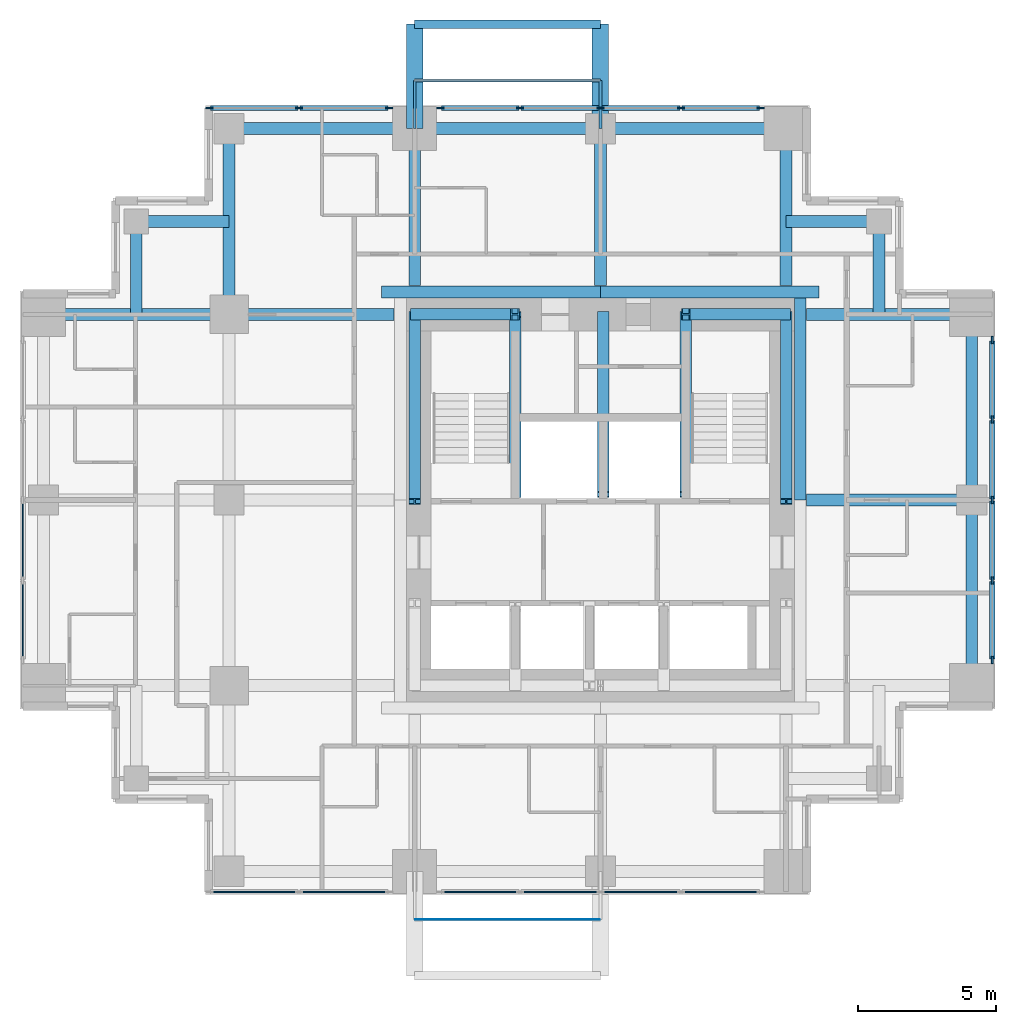
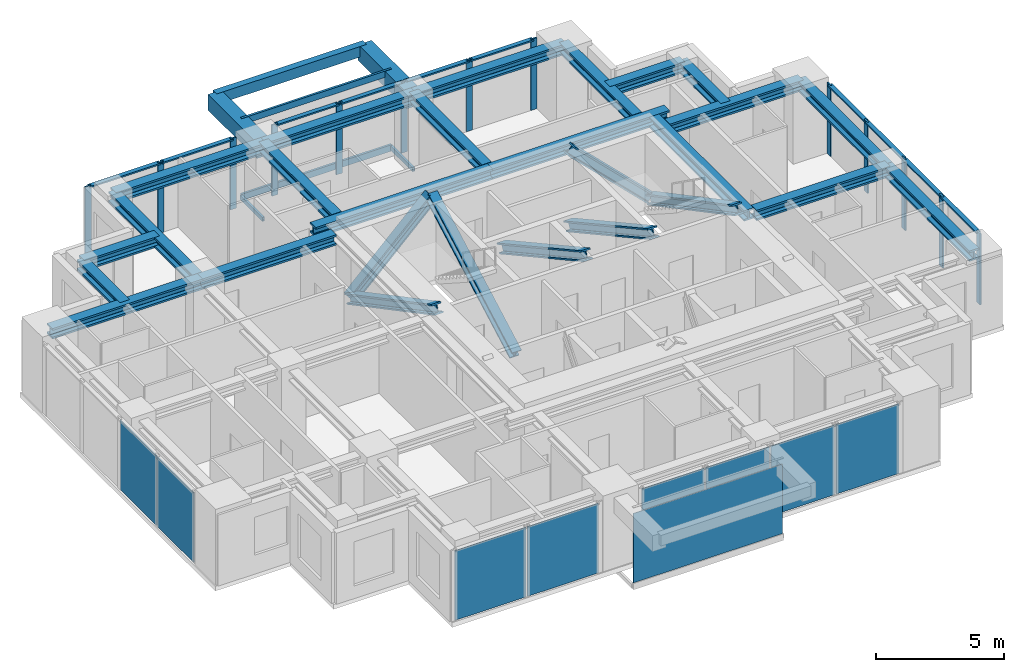
# One storey, part 2 of 8: 34 members, 23 beams, 9 plates, 6 elements without a shape of their own.
"""IFC4 building model written with IfcOpenShell, lengths in metres."""

from ifc_helpers import new_model, si_unit, direction, frame, origin, origin_2d, place, context, subcontext, project, spatial, rectangle, hollow_rectangle, i_section, extrude, material, layer, layer_set, material_profile, profile_set, type_object, element, aggregate, save


model = new_model("IFC4")

# Units and contexts
model_context = context("Model", 3, precision=1e-05, world=origin(), true_north=direction((0.0, 1.0)))
body_context = subcontext(model_context, "Body", "Model", "MODEL_VIEW")
ifc_project = project(units=[si_unit("LENGTHUNIT", "METRE"), si_unit("AREAUNIT", "SQUARE_METRE"), si_unit("VOLUMEUNIT", "CUBIC_METRE"), si_unit("PLANEANGLEUNIT", "RADIAN"), si_unit("MASSUNIT", "GRAM", prefix="KILO")], contexts=[model_context])

# Site, building, storey
site_placement = place(None, origin())
site = spatial("IfcSite", under=ifc_project, at=site_placement, CompositionType="ELEMENT")
building_placement = place(site_placement, origin())
building = spatial("IfcBuilding", under=site, at=building_placement, Name="Nyansa Garden Tower", CompositionType="ELEMENT")
storey_placement = place(building_placement, frame((0.0, 0.0, 207.89990234375)))
storey = spatial("IfcBuildingStorey", under=building, at=storey_placement, Name="L56", CompositionType="ELEMENT", Elevation=207.89990234375)

# Beams
ifc_material_1 = material(Name="Concrete C70/85", Category="concrete")
ifc_material_profile_1 = material_profile(ifc_material_1, rectangle(XDim=0.60009765625, YDim=0.75, at=origin_2d()), Name="RC 600x750")
ifc_profile_set_1 = profile_set([ifc_material_profile_1], Name="Concrete C70/85")
beam_type_1 = type_object("IfcBeamType", Name="Balcony cantilever beam CB1 RC 600x750", PredefinedType="BEAM", material=ifc_profile_set_1)
for number, where, z_axis, x_axis, name in (
    (1, (13.5, 33.75, 2.985107421875), (0.0, 1.0, 0.0), (-1.0, 0.0, 0.0), "Balcony cantilever beam L57"),
    (2, (20.25, 33.75, 2.985107421875), (0.0, 1.0, 0.0), (-1.0, 0.0, 0.0), "Balcony cantilever beam L57"),
):
    element("IfcBeam", number, at=place(storey_placement, frame(where, z_axis=z_axis, x_axis=x_axis)), inside=storey, type_object=beam_type_1, Name=name, PredefinedType="BEAM", context=body_context, shape_type="SweptSolid", body=[
        extrude(rectangle(XDim=0.60009765625, YDim=0.75, at=origin_2d()), origin(), (0.0, 0.0, 1.0), 3.800048828125),
    ])
ifc_material_2 = material(Name="Concrete C70/85", Category="concrete")
ifc_material_profile_2 = material_profile(ifc_material_2, rectangle(XDim=0.300048828125, YDim=0.5, at=origin_2d()), Name="RC 300x500")
ifc_profile_set_2 = profile_set([ifc_material_profile_2], Name="Concrete C70/85")
beam_type_2 = type_object("IfcBeamType", Name="Balcony edge beam BE1 RC 300x500", PredefinedType="BEAM", material=ifc_profile_set_2)
beam_1_placement = place(storey_placement, frame((13.5, 37.550048828125, 3.110107421875), z_axis=(1.0, 0.0, 0.0), x_axis=(0.0, 1.0, 0.0)))
element("IfcBeam", 3, at=beam_1_placement, inside=storey, type_object=beam_type_2, Name="Balcony edge beam L57", PredefinedType="BEAM", context=body_context, shape_type="SweptSolid", body=[
    extrude(rectangle(XDim=0.300048828125, YDim=0.5, at=origin_2d()), origin(), (0.0, 0.0, 1.0), 6.75),
])

# Curtain wall, members
ifc_material_3 = material(Name="Black anodised aluminium, dark tinted double glazing", Category="aluminium")
curtain_wall_type = type_object("IfcCurtainWallType", Name="Inner skin curtain wall ISW-D", PredefinedType="USERDEFINED", material=ifc_material_3)
curtain_wall_1_placement = place(storey_placement, origin())
curtain_wall_1 = element("IfcCurtainWall", 4, at=curtain_wall_1_placement, inside=storey, type_object=curtain_wall_type, Name="Inner skin curtain wall L56 E", ObjectType="UNITISED CURTAIN WALL", PredefinedType="USERDEFINED")
ifc_material_4 = material(Name="Black anodised aluminium", Category="aluminium")
ifc_material_profile_3 = material_profile(ifc_material_4, rectangle(XDim=0.070068359375, YDim=0.27490234375, at=origin_2d()), Name="Mullion 275x70")
ifc_profile_set_3 = profile_set([ifc_material_profile_3], Name="Black anodised aluminium")
member_type_1 = type_object("IfcMemberType", Name="Mullion ISW-D 275x70", PredefinedType="MULLION", material=ifc_profile_set_3)
member_1_placement = place(storey_placement, frame((34.5, 14.4375, 0.0), z_axis=(0.0, 0.0, 1.0), x_axis=(-1.0, 0.0, 0.0)))
member_1 = element("IfcMember", 5, at=member_1_placement, type_object=member_type_1, Name="ISW-D mullion 1", PredefinedType="MULLION", context=body_context, shape_type="SweptSolid", body=[
    extrude(rectangle(XDim=0.070068359375, YDim=0.27490234375, at=origin_2d()), origin(), (0.0, 0.0, 1.0), 3.375),
])
member_2_placement = place(storey_placement, frame((34.5, 17.326171875, 0.0), z_axis=(0.0, 0.0, 1.0), x_axis=(-1.0, 0.0, 0.0)))
member_2 = element("IfcMember", 6, at=member_2_placement, type_object=member_type_1, Name="ISW-D mullion 2", PredefinedType="MULLION", context=body_context, shape_type="SweptSolid", body=[
    extrude(rectangle(XDim=0.070068359375, YDim=0.27490234375, at=origin_2d()), origin(), (0.0, 0.0, 1.0), 3.375),
])
member_3_placement = place(storey_placement, frame((34.5, 20.25, 0.0), z_axis=(0.0, 0.0, 1.0), x_axis=(-1.0, 0.0, 0.0)))
member_3 = element("IfcMember", 7, at=member_3_placement, type_object=member_type_1, Name="ISW-D mullion 3", PredefinedType="MULLION", context=body_context, shape_type="SweptSolid", body=[
    extrude(rectangle(XDim=0.070068359375, YDim=0.27490234375, at=origin_2d()), origin(), (0.0, 0.0, 1.0), 3.375),
])
member_4_placement = place(storey_placement, frame((34.5, 23.173828125, 0.0), z_axis=(0.0, 0.0, 1.0), x_axis=(-1.0, 0.0, 0.0)))
member_4 = element("IfcMember", 8, at=member_4_placement, type_object=member_type_1, Name="ISW-D mullion 4", PredefinedType="MULLION", context=body_context, shape_type="SweptSolid", body=[
    extrude(rectangle(XDim=0.070068359375, YDim=0.27490234375, at=origin_2d()), origin(), (0.0, 0.0, 1.0), 3.375),
])
member_5_placement = place(storey_placement, frame((34.5, 26.0625, 0.0), z_axis=(0.0, 0.0, 1.0), x_axis=(-1.0, 0.0, 0.0)))
member_5 = element("IfcMember", 9, at=member_5_placement, type_object=member_type_1, Name="ISW-D mullion 5", PredefinedType="MULLION", context=body_context, shape_type="SweptSolid", body=[
    extrude(rectangle(XDim=0.070068359375, YDim=0.27490234375, at=origin_2d()), origin(), (0.0, 0.0, 1.0), 3.375),
])

curtain_wall_2_placement = place(storey_placement, origin())
curtain_wall_2 = element("IfcCurtainWall", 10, at=curtain_wall_2_placement, inside=storey, type_object=curtain_wall_type, Name="Inner skin curtain wall L56 N", ObjectType="UNITISED CURTAIN WALL", PredefinedType="USERDEFINED")
member_6_placement = place(storey_placement, frame((26.0625, 34.5, 0.0), z_axis=(0.0, 0.0, 1.0), x_axis=(0.0, -1.0, 0.0)))
member_6 = element("IfcMember", 11, at=member_6_placement, type_object=member_type_1, Name="ISW-D mullion 1", PredefinedType="MULLION", context=body_context, shape_type="SweptSolid", body=[
    extrude(rectangle(XDim=0.070068359375, YDim=0.27490234375, at=origin_2d()), origin(), (0.0, 0.0, 1.0), 3.375),
])
member_7_placement = place(storey_placement, frame((23.173828125, 34.5, 0.0), z_axis=(0.0, 0.0, 1.0), x_axis=(0.0, -1.0, 0.0)))
member_7 = element("IfcMember", 12, at=member_7_placement, type_object=member_type_1, Name="ISW-D mullion 2", PredefinedType="MULLION", context=body_context, shape_type="SweptSolid", body=[
    extrude(rectangle(XDim=0.070068359375, YDim=0.27490234375, at=origin_2d()), origin(), (0.0, 0.0, 1.0), 3.375),
])
member_8_placement = place(storey_placement, frame((20.25, 34.5, 0.0), z_axis=(0.0, 0.0, 1.0), x_axis=(0.0, -1.0, 0.0)))
member_8 = element("IfcMember", 13, at=member_8_placement, type_object=member_type_1, Name="ISW-D mullion 3", PredefinedType="MULLION", context=body_context, shape_type="SweptSolid", body=[
    extrude(rectangle(XDim=0.070068359375, YDim=0.27490234375, at=origin_2d()), origin(), (0.0, 0.0, 1.0), 3.375),
])
member_9_placement = place(storey_placement, frame((17.326171875, 34.5, 0.0), z_axis=(0.0, 0.0, 1.0), x_axis=(0.0, -1.0, 0.0)))
member_9 = element("IfcMember", 14, at=member_9_placement, type_object=member_type_1, Name="ISW-D mullion 4", PredefinedType="MULLION", context=body_context, shape_type="SweptSolid", body=[
    extrude(rectangle(XDim=0.070068359375, YDim=0.27490234375, at=origin_2d()), origin(), (0.0, 0.0, 1.0), 3.375),
])
member_10_placement = place(storey_placement, frame((14.4375, 34.5, 0.0), z_axis=(0.0, 0.0, 1.0), x_axis=(0.0, -1.0, 0.0)))
member_10 = element("IfcMember", 15, at=member_10_placement, type_object=member_type_1, Name="ISW-D mullion 5", PredefinedType="MULLION", context=body_context, shape_type="SweptSolid", body=[
    extrude(rectangle(XDim=0.070068359375, YDim=0.27490234375, at=origin_2d()), origin(), (0.0, 0.0, 1.0), 3.375),
])

curtain_wall_3_placement = place(storey_placement, origin())
curtain_wall_3 = element("IfcCurtainWall", 16, at=curtain_wall_3_placement, inside=storey, type_object=curtain_wall_type, Name="Inner skin curtain wall L56 N", ObjectType="UNITISED CURTAIN WALL", PredefinedType="USERDEFINED")
member_11_placement = place(storey_placement, frame((12.5625, 34.5, 0.0), z_axis=(0.0, 0.0, 1.0), x_axis=(0.0, -1.0, 0.0)))
member_11 = element("IfcMember", 17, at=member_11_placement, type_object=member_type_1, Name="ISW-D mullion 1", PredefinedType="MULLION", context=body_context, shape_type="SweptSolid", body=[
    extrude(rectangle(XDim=0.070068359375, YDim=0.27490234375, at=origin_2d()), origin(), (0.0, 0.0, 1.0), 3.375),
])
member_12_placement = place(storey_placement, frame((9.298828125, 34.5, 0.0), z_axis=(0.0, 0.0, 1.0), x_axis=(0.0, -1.0, 0.0)))
member_12 = element("IfcMember", 18, at=member_12_placement, type_object=member_type_1, Name="ISW-D mullion 2", PredefinedType="MULLION", context=body_context, shape_type="SweptSolid", body=[
    extrude(rectangle(XDim=0.070068359375, YDim=0.27490234375, at=origin_2d()), origin(), (0.0, 0.0, 1.0), 3.375),
])
member_13_placement = place(storey_placement, frame((6.034912109375, 34.5, 0.0), z_axis=(0.0, 0.0, 1.0), x_axis=(0.0, -1.0, 0.0)))
member_13 = element("IfcMember", 19, at=member_13_placement, type_object=member_type_1, Name="ISW-D mullion 3", PredefinedType="MULLION", context=body_context, shape_type="SweptSolid", body=[
    extrude(rectangle(XDim=0.070068359375, YDim=0.27490234375, at=origin_2d()), origin(), (0.0, 0.0, 1.0), 3.375),
])

# Members
ifc_material_5 = material(Name="Steel S355, black powder coated", Category="steel")
ifc_material_profile_4 = material_profile(ifc_material_5, hollow_rectangle(XDim=0.10009765625, YDim=0.199951171875, WallThickness=0.008056640625, at=origin_2d()), Name="RHS 200x100x8")
ifc_profile_set_4 = profile_set([ifc_material_profile_4], Name="Steel S355, black powder coated")
member_type_2 = type_object("IfcMemberType", Name="Outer skin bracket arm RHS 200x100x8", PredefinedType="USERDEFINED", material=ifc_profile_set_4)
for number, where, z_axis, x_axis, name in (
    (20, (13.5, 33.75, -0.375), (0.0, 1.0, 0.0), (-1.0, 0.0, 0.0), "Outer skin bracket arm"),
    (21, (20.25, 33.75, -0.375), (0.0, 1.0, 0.0), (-1.0, 0.0, 0.0), "Outer skin bracket arm"),
):
    element("IfcMember", number, at=place(storey_placement, frame(where, z_axis=z_axis, x_axis=x_axis)), inside=storey, type_object=member_type_2, Name=name, ObjectType="OUTER SKIN BRACKET", PredefinedType="USERDEFINED", context=body_context, shape_type="SweptSolid", body=[
        extrude(hollow_rectangle(XDim=0.10009765625, YDim=0.199951171875, WallThickness=0.008056640625, at=origin_2d()), origin(), (0.0, 0.0, 1.0), 1.75),
    ])
ifc_material_6 = material(Name="Steel S355, black powder coated", Category="steel")
ifc_material_profile_5 = material_profile(ifc_material_6, hollow_rectangle(XDim=0.10009765625, YDim=0.300048828125, WallThickness=0.010009765625, at=origin_2d()), Name="RHS 300x100x10")
ifc_profile_set_5 = profile_set([ifc_material_profile_5], Name="Steel S355, black powder coated")
member_type_3 = type_object("IfcMemberType", Name="Outer skin rail RHS 300x100x10", PredefinedType="USERDEFINED", material=ifc_profile_set_5)
for number, where, z_axis, x_axis, name in (
    (22, (13.5, 35.5, -0.375), (1.0, 0.0, 0.0), (0.0, 1.0, 0.0), "Outer skin rail L56"),
    (23, (13.5, 35.5, 3.22509765625), (1.0, 0.0, 0.0), (0.0, 1.0, 0.0), "Outer skin rail L56 head"),
):
    element("IfcMember", number, at=place(storey_placement, frame(where, z_axis=z_axis, x_axis=x_axis)), inside=storey, type_object=member_type_3, Name=name, ObjectType="OUTER SKIN RAIL", PredefinedType="USERDEFINED", context=body_context, shape_type="SweptSolid", body=[
        extrude(hollow_rectangle(XDim=0.10009765625, YDim=0.300048828125, WallThickness=0.010009765625, at=origin_2d()), origin(), (0.0, 0.0, 1.0), 6.75),
    ])
ifc_material_7 = material(Name="Steel S355", Category="steel")
ifc_material_profile_6 = material_profile(ifc_material_7, i_section(OverallWidth=0.41796875, OverallDepth=0.455078125, WebThickness=0.0419921875, FlangeThickness=0.067626953125, FilletRadius=0.014892578125, at=origin_2d()), Name="HD 400x463")
ifc_profile_set_6 = profile_set([ifc_material_profile_6], Name="Steel S355")
member_type_4 = type_object("IfcMemberType", Name="Perimeter brace heavy HD 400x463", PredefinedType="BRACE", material=ifc_profile_set_6)
for number, where, z_axis, x_axis, name in (
    (24, (13.5, 27.0, 0.0), (0.711947531702, 0.0, 0.702232662373), (0.0, 1.0, 0.0), "Core brace CN3 L56"),
    (25, (27.0, 27.0, 0.0), (-0.711947531702, 0.0, 0.702232662373), (0.0, -1.0, 0.0), "Core brace CN4 L56"),
):
    element("IfcMember", number, at=place(storey_placement, frame(where, z_axis=z_axis, x_axis=x_axis)), inside=storey, type_object=member_type_4, Name=name, PredefinedType="BRACE", context=body_context, shape_type="SweptSolid", body=[
        extrude(i_section(OverallWidth=0.41796875, OverallDepth=0.455078125, WebThickness=0.0419921875, FlangeThickness=0.067626953125, FilletRadius=0.014892578125, at=origin_2d()), origin(), (0.0, 0.0, 1.0), 5.126708984375),
    ])
for number, where, z_axis, x_axis, name in (
    (26, (13.5, 27.0, 0.0), (0.0, -0.883784057226, 0.467895009796), (1.0, 0.0, 0.0), "Core brace CW6 L56"),
    (27, (27.0, 27.0, 0.0), (0.0, -0.883784057226, 0.467895009796), (1.0, 0.0, 0.0), "Core brace CE8 L56"),
):
    element("IfcMember", number, at=place(storey_placement, frame(where, z_axis=z_axis, x_axis=x_axis)), inside=storey, type_object=member_type_4, Name=name, PredefinedType="BRACE", context=body_context, shape_type="SweptSolid", body=[
        extrude(i_section(OverallWidth=0.41796875, OverallDepth=0.455078125, WebThickness=0.0419921875, FlangeThickness=0.067626953125, FilletRadius=0.014892578125, at=origin_2d()), origin(), (0.0, 0.0, 1.0), 7.6943359375),
    ])
for number, where, z_axis, x_axis, name in (
    (28, (17.14990234375, 20.449951171875, 0.0), (0.0, 0.876353113771, 0.481669201822), (-1.0, 0.0, 0.0), "Core brace CWS9 L56"),
    (29, (23.35009765625, 27.0, 0.0), (0.0, -0.876353113771, 0.481669201822), (1.0, 0.0, 0.0), "Core brace CES10 L56"),
    (30, (20.35009765625, 27.0, 0.0), (0.0, -0.876353113771, 0.481669201822), (1.0, 0.0, 0.0), "Core brace CNW14 L56"),
):
    element("IfcMember", number, at=place(storey_placement, frame(where, z_axis=z_axis, x_axis=x_axis)), inside=storey, type_object=member_type_4, Name=name, PredefinedType="BRACE", context=body_context, shape_type="SweptSolid", body=[
        extrude(i_section(OverallWidth=0.41796875, OverallDepth=0.455078125, WebThickness=0.0419921875, FlangeThickness=0.067626953125, FilletRadius=0.014892578125, at=origin_2d()), origin(), (0.0, 0.0, 1.0), 7.47412109375),
    ])

# Beams
ifc_material_8 = material(Name="Steel S355", Category="steel")
ifc_material_profile_7 = material_profile(ifc_material_8, i_section(OverallWidth=0.431884765625, OverallDepth=0.498046875, WebThickness=0.0556640625, FlangeThickness=0.0888671875, FilletRadius=0.014892578125, at=origin_2d()), Name="HD 400x744")
ifc_profile_set_7 = profile_set([ifc_material_profile_7], Name="Steel S355")
beam_type_3 = type_object("IfcBeamType", Name="Steel beam SBD1-744 HD 400x744", PredefinedType="BEAM", material=ifc_profile_set_7)
for number, where, z_axis, x_axis, name in (
    (31, (0.0, 27.0, 3.1259765625), (1.0, 0.0, 0.0), (0.0, 1.0, 0.0), "Steel beam 2/H-3/H L57"),
    (32, (6.75, 27.0, 3.1259765625), (0.0, 1.0, 0.0), (-1.0, 0.0, 0.0), "Steel beam 3/H-3/J L57"),
):
    element("IfcBeam", number, at=place(storey_placement, frame(where, z_axis=z_axis, x_axis=x_axis)), inside=storey, type_object=beam_type_3, Name=name, PredefinedType="BEAM", context=body_context, shape_type="SweptSolid", body=[
        extrude(i_section(OverallWidth=0.431884765625, OverallDepth=0.498046875, WebThickness=0.0556640625, FlangeThickness=0.0888671875, FilletRadius=0.014892578125, at=origin_2d()), origin(), (0.0, 0.0, 1.0), 6.75),
    ])
beam_2_placement = place(storey_placement, frame((6.75, 27.0, 3.1259765625), z_axis=(1.0, 0.0, 0.0), x_axis=(0.0, 1.0, 0.0)))
element("IfcBeam", 33, at=beam_2_placement, inside=storey, type_object=beam_type_3, Name="Steel beam 3/H-12.750/H L57", PredefinedType="BEAM", context=body_context, shape_type="SweptSolid", body=[
    extrude(i_section(OverallWidth=0.431884765625, OverallDepth=0.498046875, WebThickness=0.0556640625, FlangeThickness=0.0888671875, FilletRadius=0.014892578125, at=origin_2d()), origin(), (0.0, 0.0, 1.0), 6.0),
])
for number, where, z_axis, x_axis, name in (
    (34, (13.5, 28.050048828125, 3.1259765625), (0.0, 1.0, 0.0), (-1.0, 0.0, 0.0), "Steel beam 4/28.050-4/J L57"),
    (35, (20.25, 28.050048828125, 3.1259765625), (0.0, 1.0, 0.0), (-1.0, 0.0, 0.0), "Steel beam 5/28.050-5/J L57"),
):
    element("IfcBeam", number, at=place(storey_placement, frame(where, z_axis=z_axis, x_axis=x_axis)), inside=storey, type_object=beam_type_3, Name=name, PredefinedType="BEAM", context=body_context, shape_type="SweptSolid", body=[
        extrude(i_section(OverallWidth=0.431884765625, OverallDepth=0.498046875, WebThickness=0.0556640625, FlangeThickness=0.0888671875, FilletRadius=0.014892578125, at=origin_2d()), origin(), (0.0, 0.0, 1.0), 5.699951171875),
    ])
beam_3_placement = place(storey_placement, frame((27.75, 20.25, 3.1259765625), z_axis=(1.0, 0.0, 0.0), x_axis=(0.0, 1.0, 0.0)))
element("IfcBeam", 36, at=beam_3_placement, inside=storey, type_object=beam_type_3, Name="Steel beam 27.750/G-7/G L57", PredefinedType="BEAM", context=body_context, shape_type="SweptSolid", body=[
    extrude(i_section(OverallWidth=0.431884765625, OverallDepth=0.498046875, WebThickness=0.0556640625, FlangeThickness=0.0888671875, FilletRadius=0.014892578125, at=origin_2d()), origin(), (0.0, 0.0, 1.0), 6.0),
])
beam_4_placement = place(storey_placement, frame((27.0, 28.050048828125, 3.1259765625), z_axis=(0.0, 1.0, 0.0), x_axis=(-1.0, 0.0, 0.0)))
element("IfcBeam", 37, at=beam_4_placement, inside=storey, type_object=beam_type_3, Name="Steel beam 6/28.050-6/J L57", PredefinedType="BEAM", context=body_context, shape_type="SweptSolid", body=[
    extrude(i_section(OverallWidth=0.431884765625, OverallDepth=0.498046875, WebThickness=0.0556640625, FlangeThickness=0.0888671875, FilletRadius=0.014892578125, at=origin_2d()), origin(), (0.0, 0.0, 1.0), 5.699951171875),
])
beam_5_placement = place(storey_placement, frame((27.75, 27.0, 3.1259765625), z_axis=(1.0, 0.0, 0.0), x_axis=(0.0, 1.0, 0.0)))
element("IfcBeam", 38, at=beam_5_placement, inside=storey, type_object=beam_type_3, Name="Steel beam 27.750/H-7/H L57", PredefinedType="BEAM", context=body_context, shape_type="SweptSolid", body=[
    extrude(i_section(OverallWidth=0.431884765625, OverallDepth=0.498046875, WebThickness=0.0556640625, FlangeThickness=0.0888671875, FilletRadius=0.014892578125, at=origin_2d()), origin(), (0.0, 0.0, 1.0), 6.0),
])
ifc_material_9 = material(Name="Steel S355", Category="steel")
ifc_material_profile_8 = material_profile(ifc_material_9, i_section(OverallWidth=0.431884765625, OverallDepth=0.498046875, WebThickness=0.0556640625, FlangeThickness=0.0888671875, FilletRadius=0.014892578125, at=origin_2d()), Name="HD 400x744")
ifc_profile_set_8 = profile_set([ifc_material_profile_8], Name="Steel S355")
beam_type_4 = type_object("IfcBeamType", Name="Steel beam SEBD-744 HD 400x744", PredefinedType="BEAM", material=ifc_profile_set_8)
for number, where, z_axis, x_axis, name in (
    (39, (6.75, 33.75, 3.1259765625), (1.0, 0.0, 0.0), (0.0, 1.0, 0.0), "Steel edge beam 3/J-4/J L57"),
    (40, (13.5, 33.75, 3.1259765625), (1.0, 0.0, 0.0), (0.0, 1.0, 0.0), "Steel edge beam 4/J-5/J L57"),
    (41, (20.25, 33.75, 3.1259765625), (1.0, 0.0, 0.0), (0.0, 1.0, 0.0), "Steel edge beam 5/J-6/J L57"),
    (42, (33.75, 13.5, 3.1259765625), (0.0, 1.0, 0.0), (-1.0, 0.0, 0.0), "Steel edge beam 7/F-7/G L57"),
    (43, (33.75, 20.25, 3.1259765625), (0.0, 1.0, 0.0), (-1.0, 0.0, 0.0), "Steel edge beam 7/G-7/H L57"),
):
    element("IfcBeam", number, at=place(storey_placement, frame(where, z_axis=z_axis, x_axis=x_axis)), inside=storey, type_object=beam_type_4, Name=name, PredefinedType="BEAM", context=body_context, shape_type="SweptSolid", body=[
        extrude(i_section(OverallWidth=0.431884765625, OverallDepth=0.498046875, WebThickness=0.0556640625, FlangeThickness=0.0888671875, FilletRadius=0.014892578125, at=origin_2d()), origin(), (0.0, 0.0, 1.0), 6.75),
    ])
ifc_material_10 = material(Name="Steel S355", Category="steel")
ifc_material_profile_9 = material_profile(ifc_material_10, i_section(OverallWidth=0.431884765625, OverallDepth=0.498046875, WebThickness=0.0556640625, FlangeThickness=0.0888671875, FilletRadius=0.014892578125, at=origin_2d()), Name="HD 400x744")
ifc_profile_set_9 = profile_set([ifc_material_profile_9], Name="Steel S355")
beam_type_5 = type_object("IfcBeamType", Name="Steel beam SLB1-744 HD 400x744", PredefinedType="BEAM", material=ifc_profile_set_9)
beam_6_placement = place(storey_placement, frame((27.51611328125, 20.25, 3.1259765625), z_axis=(0.0, 1.0, 0.0), x_axis=(-1.0, 0.0, 0.0)))
element("IfcBeam", 44, at=beam_6_placement, inside=storey, type_object=beam_type_5, Name="Steel core ledger beam E.2 L57", PredefinedType="BEAM", context=body_context, shape_type="SweptSolid", body=[
    extrude(i_section(OverallWidth=0.431884765625, OverallDepth=0.498046875, WebThickness=0.0556640625, FlangeThickness=0.0888671875, FilletRadius=0.014892578125, at=origin_2d()), origin(), (0.0, 0.0, 1.0), 7.35009765625),
])
for number, where, z_axis, x_axis, name in (
    (45, (28.199951171875, 27.81591796875, 3.1259765625), (-1.0, 0.0, 0.0), (0.0, -1.0, 0.0), "Steel core ledger beam N.1 L57"),
    (46, (20.25, 27.81591796875, 3.1259765625), (-1.0, 0.0, 0.0), (0.0, -1.0, 0.0), "Steel core ledger beam N.2 L57"),
):
    element("IfcBeam", number, at=place(storey_placement, frame(where, z_axis=z_axis, x_axis=x_axis)), inside=storey, type_object=beam_type_5, Name=name, PredefinedType="BEAM", context=body_context, shape_type="SweptSolid", body=[
        extrude(i_section(OverallWidth=0.431884765625, OverallDepth=0.498046875, WebThickness=0.0556640625, FlangeThickness=0.0888671875, FilletRadius=0.014892578125, at=origin_2d()), origin(), (0.0, 0.0, 1.0), 7.949951171875),
    ])
ifc_material_11 = material(Name="Steel S355", Category="steel")
ifc_material_profile_10 = material_profile(ifc_material_11, i_section(OverallWidth=0.431884765625, OverallDepth=0.498046875, WebThickness=0.0556640625, FlangeThickness=0.0888671875, FilletRadius=0.014892578125, at=origin_2d()), Name="HD 400x744")
ifc_profile_set_10 = profile_set([ifc_material_profile_10], Name="Steel S355")
beam_type_6 = type_object("IfcBeamType", Name="Steel beam SSB1-744 HD 400x744", PredefinedType="BEAM", material=ifc_profile_set_10)
for number, where, z_axis, x_axis, name in (
    (47, (30.375, 30.375, 3.1259765625), (0.0, -1.0, 0.0), (1.0, 0.0, 0.0), "Steel step beam 30.375/30.375 L57"),
    (48, (30.375, 30.375, 3.1259765625), (-1.0, 0.0, 0.0), (0.0, -1.0, 0.0), "Steel step beam 30.375/30.375 L57"),
    (49, (3.375, 30.375, 3.1259765625), (0.0, -1.0, 0.0), (1.0, 0.0, 0.0), "Steel step beam 3.375/30.375 L57"),
    (50, (3.375, 30.375, 3.1259765625), (1.0, 0.0, 0.0), (0.0, 1.0, 0.0), "Steel step beam 3.375/30.375 L57"),
):
    element("IfcBeam", number, at=place(storey_placement, frame(where, z_axis=z_axis, x_axis=x_axis)), inside=storey, type_object=beam_type_6, Name=name, PredefinedType="BEAM", context=body_context, shape_type="SweptSolid", body=[
        extrude(i_section(OverallWidth=0.431884765625, OverallDepth=0.498046875, WebThickness=0.0556640625, FlangeThickness=0.0888671875, FilletRadius=0.014892578125, at=origin_2d()), origin(), (0.0, 0.0, 1.0), 3.375),
    ])

# Member
ifc_material_12 = material(Name="Black anodised aluminium", Category="aluminium")
ifc_material_profile_11 = material_profile(ifc_material_12, rectangle(XDim=0.195068359375, YDim=0.070068359375, at=origin_2d()), Name="Transom 195x70")
ifc_profile_set_11 = profile_set([ifc_material_profile_11], Name="Black anodised aluminium")
member_type_5 = type_object("IfcMemberType", Name="Transom ISW-D 195x70", PredefinedType="USERDEFINED", material=ifc_profile_set_11)
member_14_placement = place(storey_placement, frame((34.5, 14.472412109375, 3.340087890625), z_axis=(0.0, 1.0, 0.0), x_axis=(-1.0, 0.0, 0.0)))
member_14 = element("IfcMember", 51, at=member_14_placement, type_object=member_type_5, Name="ISW-D transom 1", ObjectType="TRANSOM", PredefinedType="USERDEFINED", context=body_context, shape_type="SweptSolid", body=[
    extrude(rectangle(XDim=0.195068359375, YDim=0.070068359375, at=origin_2d()), origin(), (0.0, 0.0, 1.0), 2.81884765625),
])

member_15_placement = place(storey_placement, frame((34.5, 17.361328125, 3.340087890625), z_axis=(0.0, 1.0, 0.0), x_axis=(-1.0, 0.0, 0.0)))
member_15 = element("IfcMember", 52, at=member_15_placement, type_object=member_type_5, Name="ISW-D transom 2", ObjectType="TRANSOM", PredefinedType="USERDEFINED", context=body_context, shape_type="SweptSolid", body=[
    extrude(rectangle(XDim=0.195068359375, YDim=0.070068359375, at=origin_2d()), origin(), (0.0, 0.0, 1.0), 2.853759765625),
])

member_16_placement = place(storey_placement, frame((34.5, 20.284912109375, 3.340087890625), z_axis=(0.0, 1.0, 0.0), x_axis=(-1.0, 0.0, 0.0)))
member_16 = element("IfcMember", 53, at=member_16_placement, type_object=member_type_5, Name="ISW-D transom 3", ObjectType="TRANSOM", PredefinedType="USERDEFINED", context=body_context, shape_type="SweptSolid", body=[
    extrude(rectangle(XDim=0.195068359375, YDim=0.070068359375, at=origin_2d()), origin(), (0.0, 0.0, 1.0), 2.853759765625),
])

member_17_placement = place(storey_placement, frame((34.5, 23.208740234375, 3.340087890625), z_axis=(0.0, 1.0, 0.0), x_axis=(-1.0, 0.0, 0.0)))
member_17 = element("IfcMember", 54, at=member_17_placement, type_object=member_type_5, Name="ISW-D transom 4", ObjectType="TRANSOM", PredefinedType="USERDEFINED", context=body_context, shape_type="SweptSolid", body=[
    extrude(rectangle(XDim=0.195068359375, YDim=0.070068359375, at=origin_2d()), origin(), (0.0, 0.0, 1.0), 2.81884765625),
])

aggregate(curtain_wall_1, [member_1, member_2, member_3, member_4, member_5, member_14, member_15, member_16, member_17])

member_18_placement = place(storey_placement, frame((26.027587890625, 34.5, 3.340087890625), z_axis=(-1.0, 0.0, 0.0), x_axis=(0.0, -1.0, 0.0)))
member_18 = element("IfcMember", 55, at=member_18_placement, type_object=member_type_5, Name="ISW-D transom 1", ObjectType="TRANSOM", PredefinedType="USERDEFINED", context=body_context, shape_type="SweptSolid", body=[
    extrude(rectangle(XDim=0.195068359375, YDim=0.070068359375, at=origin_2d()), origin(), (0.0, 0.0, 1.0), 2.81884765625),
])

member_19_placement = place(storey_placement, frame((23.138671875, 34.5, 3.340087890625), z_axis=(-1.0, 0.0, 0.0), x_axis=(0.0, -1.0, 0.0)))
member_19 = element("IfcMember", 56, at=member_19_placement, type_object=member_type_5, Name="ISW-D transom 2", ObjectType="TRANSOM", PredefinedType="USERDEFINED", context=body_context, shape_type="SweptSolid", body=[
    extrude(rectangle(XDim=0.195068359375, YDim=0.070068359375, at=origin_2d()), origin(), (0.0, 0.0, 1.0), 2.853759765625),
])

member_20_placement = place(storey_placement, frame((20.215087890625, 34.5, 3.340087890625), z_axis=(-1.0, 0.0, 0.0), x_axis=(0.0, -1.0, 0.0)))
member_20 = element("IfcMember", 57, at=member_20_placement, type_object=member_type_5, Name="ISW-D transom 3", ObjectType="TRANSOM", PredefinedType="USERDEFINED", context=body_context, shape_type="SweptSolid", body=[
    extrude(rectangle(XDim=0.195068359375, YDim=0.070068359375, at=origin_2d()), origin(), (0.0, 0.0, 1.0), 2.853759765625),
])

member_21_placement = place(storey_placement, frame((17.291259765625, 34.5, 3.340087890625), z_axis=(-1.0, 0.0, 0.0), x_axis=(0.0, -1.0, 0.0)))
member_21 = element("IfcMember", 58, at=member_21_placement, type_object=member_type_5, Name="ISW-D transom 4", ObjectType="TRANSOM", PredefinedType="USERDEFINED", context=body_context, shape_type="SweptSolid", body=[
    extrude(rectangle(XDim=0.195068359375, YDim=0.070068359375, at=origin_2d()), origin(), (0.0, 0.0, 1.0), 2.81884765625),
])

aggregate(curtain_wall_2, [member_6, member_7, member_8, member_9, member_10, member_18, member_19, member_20, member_21])

member_22_placement = place(storey_placement, frame((12.527587890625, 34.5, 3.340087890625), z_axis=(-1.0, 0.0, 0.0), x_axis=(0.0, -1.0, 0.0)))
member_22 = element("IfcMember", 59, at=member_22_placement, type_object=member_type_5, Name="ISW-D transom 1", ObjectType="TRANSOM", PredefinedType="USERDEFINED", context=body_context, shape_type="SweptSolid", body=[
    extrude(rectangle(XDim=0.195068359375, YDim=0.070068359375, at=origin_2d()), origin(), (0.0, 0.0, 1.0), 3.19384765625),
])

member_23_placement = place(storey_placement, frame((9.263671875, 34.5, 3.340087890625), z_axis=(-1.0, 0.0, 0.0), x_axis=(0.0, -1.0, 0.0)))
member_23 = element("IfcMember", 60, at=member_23_placement, type_object=member_type_5, Name="ISW-D transom 2", ObjectType="TRANSOM", PredefinedType="USERDEFINED", context=body_context, shape_type="SweptSolid", body=[
    extrude(rectangle(XDim=0.195068359375, YDim=0.070068359375, at=origin_2d()), origin(), (0.0, 0.0, 1.0), 3.193603515625),
])

aggregate(curtain_wall_3, [member_11, member_12, member_13, member_22, member_23])

# Curtain wall, plates
curtain_wall_4_placement = place(storey_placement, origin())
curtain_wall_4 = element("IfcCurtainWall", 61, at=curtain_wall_4_placement, inside=storey, type_object=curtain_wall_type, Name="Inner skin curtain wall L56 W", ObjectType="UNITISED CURTAIN WALL", PredefinedType="USERDEFINED")
ifc_material_13 = material(Name="Dark tinted laminated double glazing", Category="glass")
ifc_layer_1 = layer(ifc_material_13, 0.0439453125)
ifc_layer_set_1 = layer_set([ifc_layer_1], Name="Dark tinted vision panel VP-D")
plate_type_1 = type_object("IfcPlateType", Name="Dark tinted vision panel VP-D", PredefinedType="CURTAIN_PANEL", material=ifc_layer_set_1)
plate_1_placement = place(storey_placement, frame((-0.75, 18.7880859375, 0.0), z_axis=(0.0, 0.0, 1.0), x_axis=(0.0, -1.0, 0.0)))
plate_1 = element("IfcPlate", 62, at=plate_1_placement, type_object=plate_type_1, Name="ISW-D panel 3", PredefinedType="CURTAIN_PANEL", context=body_context, shape_type="SweptSolid", body=[
    extrude(rectangle(XDim=2.853759765625, YDim=0.0439453125, at=origin_2d()), origin(), (0.0, 0.0, 1.0), 3.304931640625),
])
plate_2_placement = place(storey_placement, frame((-0.75, 15.8818359375, 0.0), z_axis=(0.0, 0.0, 1.0), x_axis=(0.0, -1.0, 0.0)))
plate_2 = element("IfcPlate", 63, at=plate_2_placement, type_object=plate_type_1, Name="ISW-D panel 4", PredefinedType="CURTAIN_PANEL", context=body_context, shape_type="SweptSolid", body=[
    extrude(rectangle(XDim=2.81884765625, YDim=0.0439453125, at=origin_2d()), origin(), (0.0, 0.0, 1.0), 3.304931640625),
])
aggregate(curtain_wall_4, [plate_1, plate_2])

curtain_wall_5_placement = place(storey_placement, origin())
curtain_wall_5 = element("IfcCurtainWall", 64, at=curtain_wall_5_placement, inside=storey, type_object=curtain_wall_type, Name="Inner skin curtain wall L56 S", ObjectType="UNITISED CURTAIN WALL", PredefinedType="USERDEFINED")
plate_3_placement = place(storey_placement, frame((7.6669921875, 6.0, 0.0), z_axis=(0.0, 0.0, 1.0), x_axis=(1.0, 0.0, 0.0)))
plate_3 = element("IfcPlate", 65, at=plate_3_placement, type_object=plate_type_1, Name="ISW-D panel 1", PredefinedType="CURTAIN_PANEL", context=body_context, shape_type="SweptSolid", body=[
    extrude(rectangle(XDim=3.19384765625, YDim=0.0439453125, at=origin_2d()), origin(), (0.0, 0.0, 1.0), 3.304931640625),
])
plate_4_placement = place(storey_placement, frame((10.9306640625, 6.0, 0.0), z_axis=(0.0, 0.0, 1.0), x_axis=(1.0, 0.0, 0.0)))
plate_4 = element("IfcPlate", 66, at=plate_4_placement, type_object=plate_type_1, Name="ISW-D panel 2", PredefinedType="CURTAIN_PANEL", context=body_context, shape_type="SweptSolid", body=[
    extrude(rectangle(XDim=3.19384765625, YDim=0.0439453125, at=origin_2d()), origin(), (0.0, 0.0, 1.0), 3.304931640625),
])
aggregate(curtain_wall_5, [plate_3, plate_4])

curtain_wall_6_placement = place(storey_placement, origin())
curtain_wall_6 = element("IfcCurtainWall", 67, at=curtain_wall_6_placement, inside=storey, type_object=curtain_wall_type, Name="Inner skin curtain wall L56 S", ObjectType="UNITISED CURTAIN WALL", PredefinedType="USERDEFINED")
plate_5_placement = place(storey_placement, frame((15.8818359375, 6.0, 0.0), z_axis=(0.0, 0.0, 1.0), x_axis=(1.0, 0.0, 0.0)))
plate_5 = element("IfcPlate", 68, at=plate_5_placement, type_object=plate_type_1, Name="ISW-D panel 1", PredefinedType="CURTAIN_PANEL", context=body_context, shape_type="SweptSolid", body=[
    extrude(rectangle(XDim=2.81884765625, YDim=0.0439453125, at=origin_2d()), origin(), (0.0, 0.0, 1.0), 3.304931640625),
])
plate_6_placement = place(storey_placement, frame((18.7880859375, 6.0, 0.0), z_axis=(0.0, 0.0, 1.0), x_axis=(1.0, 0.0, 0.0)))
plate_6 = element("IfcPlate", 69, at=plate_6_placement, type_object=plate_type_1, Name="ISW-D panel 2", PredefinedType="CURTAIN_PANEL", context=body_context, shape_type="SweptSolid", body=[
    extrude(rectangle(XDim=2.853759765625, YDim=0.0439453125, at=origin_2d()), origin(), (0.0, 0.0, 1.0), 3.304931640625),
])
plate_7_placement = place(storey_placement, frame((21.7119140625, 6.0, 0.0), z_axis=(0.0, 0.0, 1.0), x_axis=(1.0, 0.0, 0.0)))
plate_7 = element("IfcPlate", 70, at=plate_7_placement, type_object=plate_type_1, Name="ISW-D panel 3", PredefinedType="CURTAIN_PANEL", context=body_context, shape_type="SweptSolid", body=[
    extrude(rectangle(XDim=2.853759765625, YDim=0.0439453125, at=origin_2d()), origin(), (0.0, 0.0, 1.0), 3.304931640625),
])
plate_8_placement = place(storey_placement, frame((24.6181640625, 6.0, 0.0), z_axis=(0.0, 0.0, 1.0), x_axis=(1.0, 0.0, 0.0)))
plate_8 = element("IfcPlate", 71, at=plate_8_placement, type_object=plate_type_1, Name="ISW-D panel 4", PredefinedType="CURTAIN_PANEL", context=body_context, shape_type="SweptSolid", body=[
    extrude(rectangle(XDim=2.81884765625, YDim=0.0439453125, at=origin_2d()), origin(), (0.0, 0.0, 1.0), 3.304931640625),
])
aggregate(curtain_wall_6, [plate_5, plate_6, plate_7, plate_8])

# Plate
ifc_material_14 = material(Name="Dark tinted laminated glass", Category="glass")
ifc_layer_2 = layer(ifc_material_14, 0.02392578125)
ifc_layer_set_2 = layer_set([ifc_layer_2], Name="Outer skin glass panel OS1")
plate_type_2 = type_object("IfcPlateType", Name="Outer skin glass panel OS1", PredefinedType="USERDEFINED", material=ifc_layer_set_2)
plate_9_placement = place(storey_placement, frame((16.875, 5.0, -0.22509765625), z_axis=(0.0, 0.0, 1.0), x_axis=(1.0, 0.0, 0.0)))
element("IfcPlate", 72, at=plate_9_placement, inside=storey, type_object=plate_type_2, Name="Outer skin glass panel L56", ObjectType="OUTER SKIN GLASS", PredefinedType="USERDEFINED", context=body_context, shape_type="SweptSolid", body=[
    extrude(rectangle(XDim=6.7099609375, YDim=0.02392578125, at=origin_2d()), origin(), (0.0, 0.0, 1.0), 3.300048828125),
])

save(model, "model.ifc")
